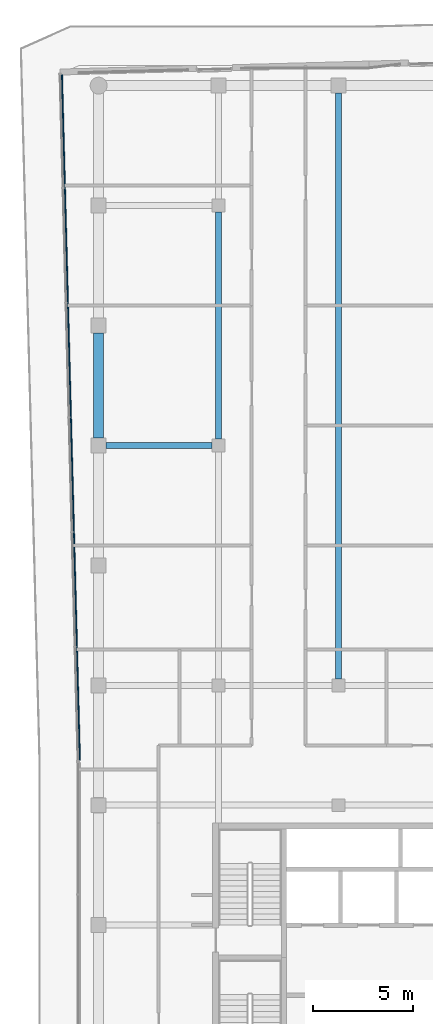
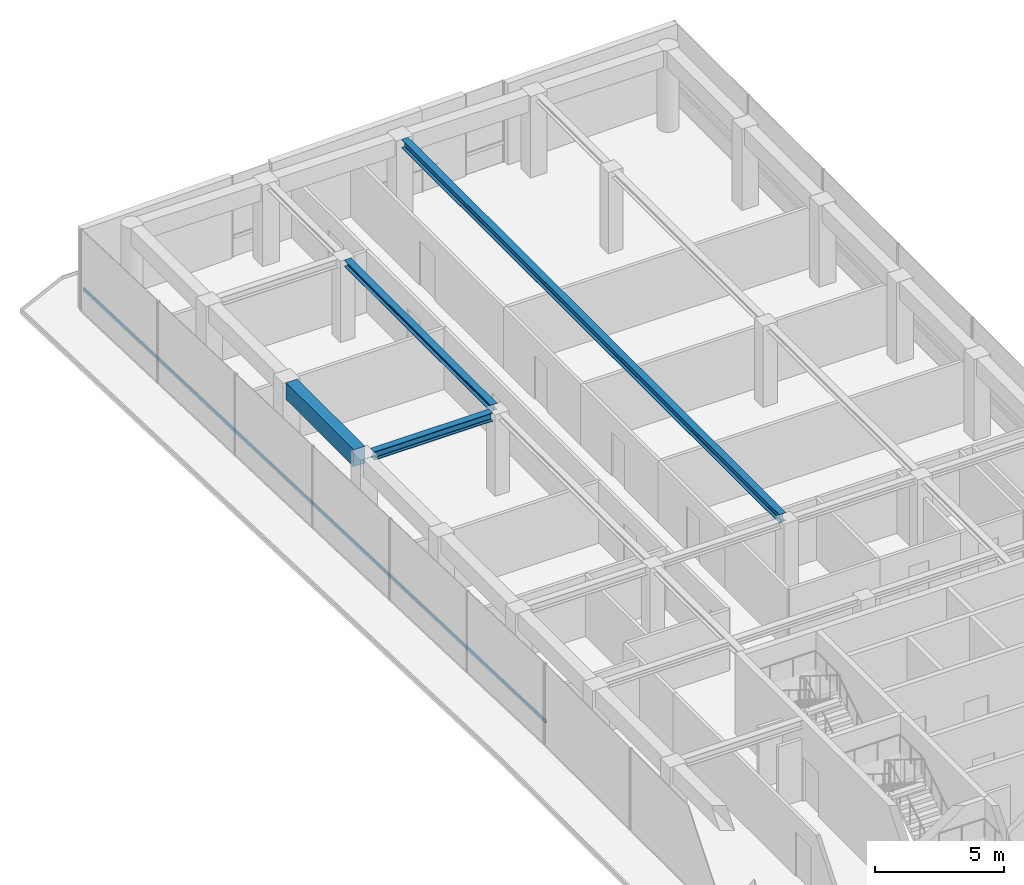
# One storey, part 10 of 20: 4 beams, 1 member, 1 element without a shape of its own.
"""IFC4 building model written with IfcOpenShell, lengths in metres."""

from ifc_helpers import new_model, si_unit, direction, frame, origin, origin_2d, place, context, subcontext, project, spatial, rectangle, i_section, extrude, material, layer, layer_set, material_profile, profile_set, type_object, element, aggregate, save


model = new_model("IFC4")

# Units and contexts
model_context = context("Model", 3, precision=1e-05, world=origin(), true_north=direction((0.0, 1.0)))
body_context = subcontext(model_context, "Body", "Model", "MODEL_VIEW")
ifc_project = project(units=[si_unit("LENGTHUNIT", "METRE"), si_unit("AREAUNIT", "SQUARE_METRE"), si_unit("VOLUMEUNIT", "CUBIC_METRE"), si_unit("PLANEANGLEUNIT", "RADIAN"), si_unit("MASSUNIT", "GRAM", prefix="KILO")], contexts=[model_context])

# Site, building, storey
site_placement = place(None, origin())
site = spatial("IfcSite", under=ifc_project, at=site_placement, CompositionType="ELEMENT")
building_placement = place(site_placement, origin())
building = spatial("IfcBuilding", under=site, at=building_placement, Name="Welwitschia Terrace Campus", CompositionType="ELEMENT")
storey_placement = place(building_placement, frame((0.0, 0.0, 293.60009765625)))
storey = spatial("IfcBuildingStorey", under=building, at=storey_placement, Name="L65", CompositionType="ELEMENT", Elevation=293.60009765625)

# Beams
ifc_material_1 = material(Name="Steel S355", Category="steel")
ifc_material_profile_1 = material_profile(ifc_material_1, i_section(OverallWidth=0.300048828125, OverallDepth=0.300048828125, WebThickness=0.010986328125, FlangeThickness=0.01904296875, FilletRadius=0.027099609375, at=origin_2d()))
ifc_profile_set_1 = profile_set([ifc_material_profile_1], Name="Steel S355")
beam_type_1 = type_object("IfcBeamType", Name="Interior girder HE 300 B", PredefinedType="BEAM", material=ifc_profile_set_1)
beam_1_placement = place(storey_placement, frame((6.0, 44.325439453125, 3.699951171875), z_axis=(0.0, 1.0, 0.0), x_axis=(-1.0, 0.0, 0.0)))
element("IfcBeam", 1, at=beam_1_placement, inside=storey, type_object=beam_type_1, Name="Girder GB6", PredefinedType="BEAM", context=body_context, shape_type="SweptSolid", body=[
    extrude(i_section(OverallWidth=0.300048828125, OverallDepth=0.300048828125, WebThickness=0.010986328125, FlangeThickness=0.01904296875, FilletRadius=0.027099609375, at=origin_2d()), origin(), (0.0, 0.0, 1.0), 11.34912109375),
])
ifc_material_2 = material(Name="Steel S355", Category="steel")
ifc_material_profile_2 = material_profile(ifc_material_2, i_section(OverallWidth=0.300048828125, OverallDepth=0.39990234375, WebThickness=0.013427734375, FlangeThickness=0.02392578125, FilletRadius=0.027099609375, at=origin_2d()))
ifc_profile_set_2 = profile_set([ifc_material_profile_2], Name="Steel S355")
beam_type_2 = type_object("IfcBeamType", Name="Primary beam HE 400 B", PredefinedType="BEAM", material=ifc_profile_set_2)
beam_2_placement = place(storey_placement, frame((12.0, 61.62451171875, 3.64990234375), z_axis=(0.0, -1.0, 0.0), x_axis=(1.0, 0.0, 0.0)))
element("IfcBeam", 2, at=beam_2_placement, inside=storey, type_object=beam_type_2, Name="Primary beam PB6", PredefinedType="BEAM", context=body_context, shape_type="SweptSolid", body=[
    extrude(i_section(OverallWidth=0.300048828125, OverallDepth=0.39990234375, WebThickness=0.013427734375, FlangeThickness=0.02392578125, FilletRadius=0.027099609375, at=origin_2d()), origin(), (0.0, 0.0, 1.0), 29.299072265625),
])
beam_3_placement = place(storey_placement, frame((0.37548828125, 44.0, 3.64990234375), z_axis=(1.0, 0.0, 0.0), x_axis=(0.0, 1.0, 0.0)))
element("IfcBeam", 3, at=beam_3_placement, inside=storey, type_object=beam_type_2, Name="Primary beam PB6", PredefinedType="BEAM", context=body_context, shape_type="SweptSolid", body=[
    extrude(i_section(OverallWidth=0.300048828125, OverallDepth=0.39990234375, WebThickness=0.013427734375, FlangeThickness=0.02392578125, FilletRadius=0.027099609375, at=origin_2d()), origin(), (0.0, 0.0, 1.0), 5.299072265625),
])
ifc_material_3 = material(Name="Concrete C50/60", Category="concrete")
ifc_material_profile_3 = material_profile(ifc_material_3, rectangle(XDim=0.5, YDim=0.800048828125, at=origin_2d()))
ifc_profile_set_3 = profile_set([ifc_material_profile_3], Name="Concrete C50/60")
beam_type_3 = type_object("IfcBeamType", Name="Ring spandrel 500x800", PredefinedType="SPANDREL", material=ifc_profile_set_3)
beam_4_placement = place(storey_placement, frame((0.0, 49.62451171875, 3.449951171875), z_axis=(0.0, -1.0, 0.0), x_axis=(1.0, 0.0, 0.0)))
element("IfcBeam", 4, at=beam_4_placement, inside=storey, type_object=beam_type_3, Name="Spandrel SP4", PredefinedType="SPANDREL", context=body_context, shape_type="SweptSolid", body=[
    extrude(rectangle(XDim=0.5, YDim=0.800048828125, at=origin_2d()), origin(), (0.0, 0.0, 1.0), 5.2490234375),
])

# Curtain wall, member
ifc_material_4 = material(Name="Bronze anodised aluminium", Category="aluminium")
ifc_layer = layer(ifc_material_4, 0.1201171875)
ifc_layer_set = layer_set([ifc_layer], Name="Bronze anodised aluminium")
curtain_wall_type = type_object("IfcCurtainWallType", Name="Curtain wall CW2 tower 6000", PredefinedType="NOTDEFINED", material=ifc_layer_set)
curtain_wall_placement = place(storey_placement, origin())
curtain_wall = element("IfcCurtainWall", 5, at=curtain_wall_placement, inside=storey, type_object=curtain_wall_type, Name="CW L65.0.0", PredefinedType="NOTDEFINED")
ifc_material_5 = material(Name="Bronze anodised aluminium", Category="aluminium")
ifc_material_profile_4 = material_profile(ifc_material_5, rectangle(XDim=0.06005859375, YDim=0.14990234375, at=origin_2d()))
ifc_profile_set_4 = profile_set([ifc_material_profile_4], Name="Bronze anodised aluminium")
member_type = type_object("IfcMemberType", Name="Transom 60x150", PredefinedType="USERDEFINED", material=ifc_profile_set_4)
member_placement = place(storey_placement, frame((-1.83984375, 62.557861328125, 1.0), z_axis=(0.026174591665, -0.999657386684, 0.0), x_axis=(0.999657386684, 0.026174591665, 0.0)))
member = element("IfcMember", 6, at=member_placement, type_object=member_type, Name="Transom L65.0.0", ObjectType="TRANSOM", PredefinedType="USERDEFINED", context=body_context, shape_type="SweptSolid", body=[
    extrude(rectangle(XDim=0.06005859375, YDim=0.14990234375, at=origin_2d()), origin(), (0.0, 0.0, 1.0), 34.3154296875),
])
aggregate(curtain_wall, [member])

save(model, "model.ifc")
